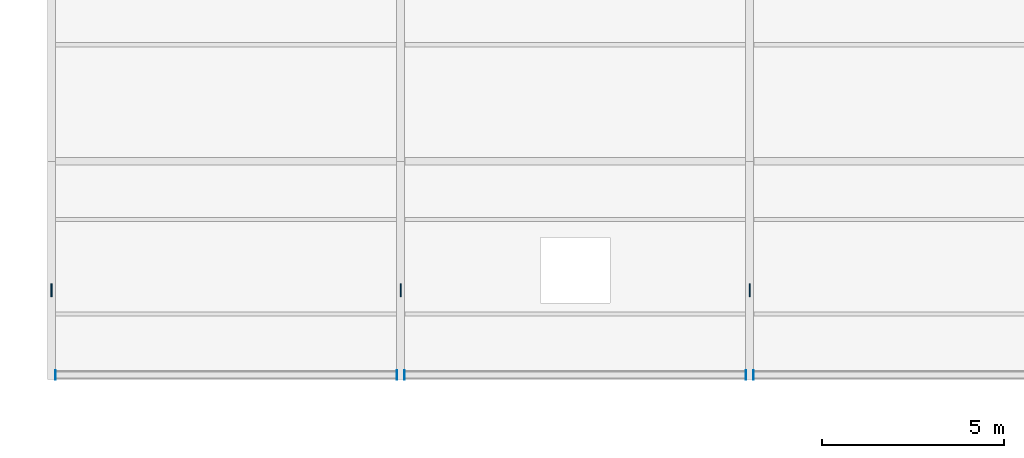
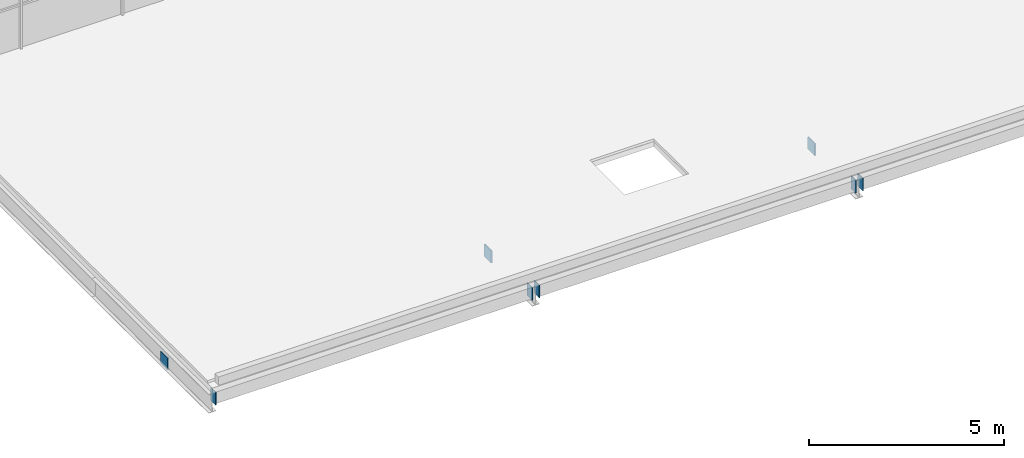
# One storey, part 127 of 159: 8 plates.
"""IFC4 building model written with IfcOpenShell, lengths in metres."""

from ifc_helpers import new_model, si_unit, direction, frame, origin, origin_2d, place, context, subcontext, project, spatial, rectangle, extrude, material, layer, layer_set, type_object, element, save


model = new_model("IFC4")

# Units and contexts
model_context = context("Model", 3, precision=1e-05, world=origin(), true_north=direction((0.0, 1.0)))
body_context = subcontext(model_context, "Body", "Model", "MODEL_VIEW")
ifc_project = project(units=[si_unit("LENGTHUNIT", "METRE"), si_unit("AREAUNIT", "SQUARE_METRE"), si_unit("VOLUMEUNIT", "CUBIC_METRE"), si_unit("PLANEANGLEUNIT", "RADIAN"), si_unit("MASSUNIT", "GRAM", prefix="KILO")], contexts=[model_context])

# Site, building, storey
site_placement = place(None, origin())
site = spatial("IfcSite", under=ifc_project, at=site_placement, CompositionType="ELEMENT")
building_placement = place(site_placement, origin())
building = spatial("IfcBuilding", under=site, at=building_placement, Name="Merenkruunu Market Hall", CompositionType="ELEMENT")
storey_placement = place(building_placement, frame((0.0, 0.0, 5.39990234375)))
storey = spatial("IfcBuildingStorey", under=building, at=storey_placement, Name="L01", CompositionType="ELEMENT", Elevation=5.39990234375)

# Plates
ifc_material = material(Name="Steel S355ML", Category="steel")
ifc_layer_1 = layer(ifc_material, 0.02001953125)
ifc_layer_set_1 = layer_set([ifc_layer_1], Name="Steel S355ML")
plate_type_1 = type_object("IfcPlateType", Name="Truss Gusset Or Cap Plate CP07", PredefinedType="USERDEFINED", material=ifc_layer_set_1)
for number, where, z_axis, x_axis, name in (
    (1, (0.10302734375, 0.1201171875, 0.03515625), (0.0, 0.0, 1.0), (1.0, 0.0, 0.0), "PLT-V6-ENDCAP-01"),
    (2, (9.4970703125, 0.1201171875, 0.03515625), (0.0, 0.0, 1.0), (1.0, 0.0, 0.0), "PLT-V6-ENDCAP-02"),
    (3, (9.702880859375, 0.1201171875, 0.03515625), (0.0, 0.0, 1.0), (1.0, 0.0, 0.0), "PLT-V6-ENDCAP-03"),
    (4, (19.096923828125, 0.1201171875, 0.03515625), (0.0, 0.0, 1.0), (1.0, 0.0, 0.0), "PLT-V6-ENDCAP-04"),
    (5, (19.302978515625, 0.1201171875, 0.03515625), (0.0, 0.0, 1.0), (1.0, 0.0, 0.0), "PLT-V6-ENDCAP-05"),
):
    element("IfcPlate", number, at=place(storey_placement, frame(where, z_axis=z_axis, x_axis=x_axis)), inside=storey, type_object=plate_type_1, Name=name, ObjectType="GUSSET_PLATE", PredefinedType="USERDEFINED", context=body_context, shape_type="SweptSolid", body=[
        extrude(rectangle(XDim=0.02001953125, YDim=0.260009765625, at=origin_2d()), origin(), (0.0, 0.0, 1.0), 0.39990234375),
    ])
ifc_layer_2 = layer(ifc_material, 0.035888671875)
ifc_layer_set_2 = layer_set([ifc_layer_2], Name="Steel S355ML")
plate_type_2 = type_object("IfcPlateType", Name="Truss Gusset Or Cap Plate CP08", PredefinedType="USERDEFINED", material=ifc_layer_set_2)
for number, where, z_axis, x_axis, name in (
    (6, (0.0, 2.449951171875, -0.2099609375), (0.0, 0.0, 1.0), (1.0, 0.0, 0.0), "PLT-V6-STRUT-000-B"),
    (7, (9.60009765625, 2.449951171875, -0.2099609375), (0.0, 0.0, 1.0), (1.0, 0.0, 0.0), "PLT-V6-STRUT-010-B"),
    (8, (19.199951171875, 2.449951171875, -0.2099609375), (0.0, 0.0, 1.0), (1.0, 0.0, 0.0), "PLT-V6-STRUT-019-B"),
):
    element("IfcPlate", number, at=place(storey_placement, frame(where, z_axis=z_axis, x_axis=x_axis)), inside=storey, type_object=plate_type_2, Name=name, ObjectType="GUSSET_PLATE", PredefinedType="USERDEFINED", context=body_context, shape_type="SweptSolid", body=[
        extrude(rectangle(XDim=0.035888671875, YDim=0.360107421875, at=origin_2d()), origin(), (0.0, 0.0, 1.0), 0.3798828125),
    ])

save(model, "model.ifc")
